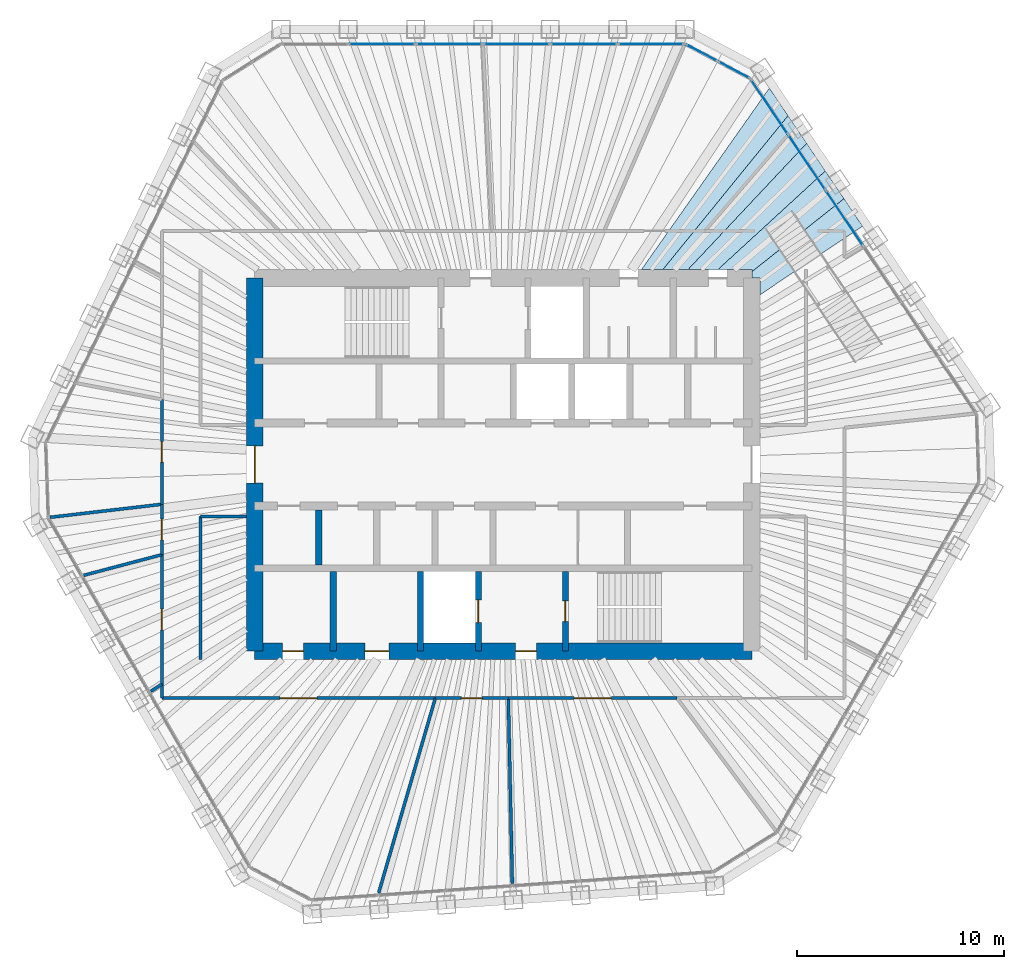
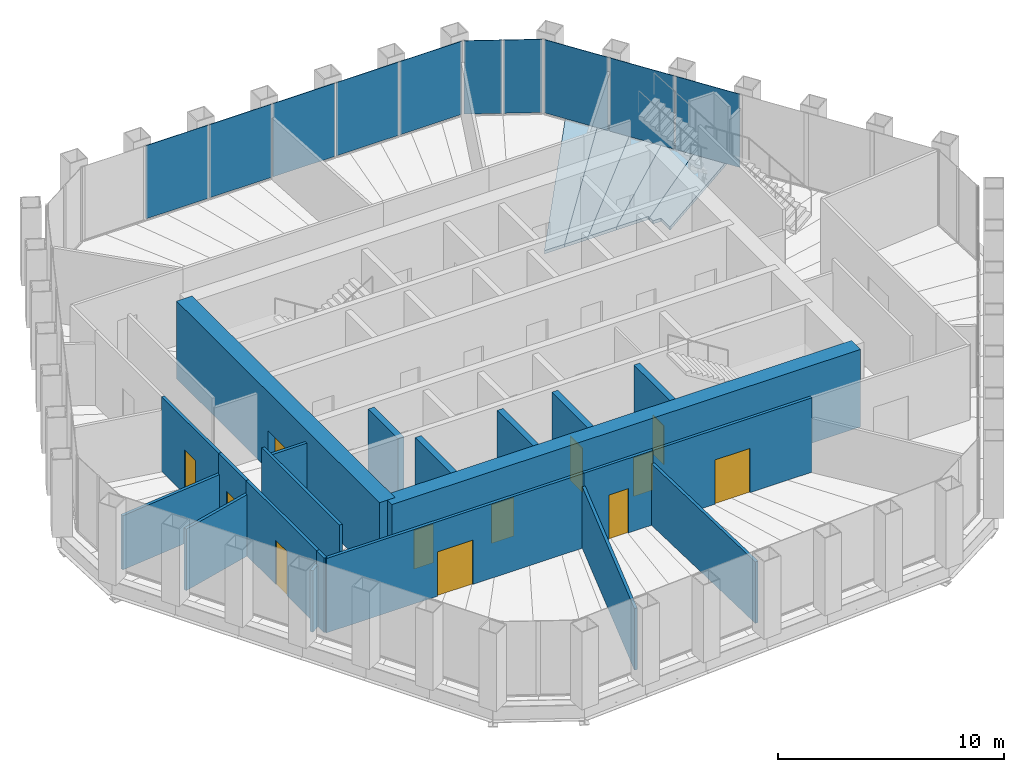
# One storey, part 11 of 14: 21 walls, 12 doors, 10 plates, 5 slabs, 12 openings, 3 elements without a shape of their own.
"""IFC4 building model written with IfcOpenShell, lengths in metres."""

from ifc_helpers import new_model, si_unit, direction, frame, frame_2d, origin, origin_2d, place, context, subcontext, project, spatial, polyline, rectangle, outline, extrude, material, layer, layer_set, type_object, element, fill, aggregate, save


model = new_model("IFC4")

# Units and contexts
model_context = context("Model", 3, precision=1e-05, world=origin(), true_north=direction((0.0, 1.0)))
body_context = subcontext(model_context, "Body", "Model", "MODEL_VIEW")
ifc_project = project(units=[si_unit("LENGTHUNIT", "METRE"), si_unit("AREAUNIT", "SQUARE_METRE"), si_unit("VOLUMEUNIT", "CUBIC_METRE"), si_unit("PLANEANGLEUNIT", "RADIAN"), si_unit("MASSUNIT", "GRAM", prefix="KILO")], contexts=[model_context])

# Site, building, storey
site_placement = place(None, origin())
site = spatial("IfcSite", under=ifc_project, at=site_placement, CompositionType="ELEMENT")
building_placement = place(site_placement, origin())
building = spatial("IfcBuilding", under=site, at=building_placement, Name="Qingtian Harvest Tower", CompositionType="ELEMENT")
storey_placement = place(building_placement, frame((0.0, 0.0, 325.0)))
storey = spatial("IfcBuildingStorey", under=building, at=storey_placement, Name="L72", CompositionType="ELEMENT", Elevation=325.0)

# Slabs
ifc_material_1 = material(Name="Concrete fc' 35 MPa", Category="concrete")
ifc_layer_1 = layer(ifc_material_1, 0.169921875)
ifc_layer_set_1 = layer_set([ifc_layer_1], Name="Composite floor slab FS17 170")
slab_type = type_object("IfcSlabType", Name="Composite floor slab FS17 170", PredefinedType="FLOOR", material=ifc_layer_set_1)
slab_1_placement = place(storey_placement, frame((0.0, 0.0, -0.169921875)))
element("IfcSlab", 1, at=slab_1_placement, inside=storey, type_object=slab_type, Name="Floor slab L72 panel D47", PredefinedType="FLOOR", context=body_context, shape_type="SweptSolid", body=[
    extrude(outline(polyline([(12.39990234375, 9.0), (12.0, 9.0), (12.0, 9.30908203125), (16.44140625, 12.830078125), (17.340576171875, 11.4970703125), (12.39990234375, 8.199462890625), (12.39990234375, 9.0)])), origin(), (0.0, 0.0, 1.0), 0.169921875),
])
slab_2_placement = place(storey_placement, frame((0.0, 0.0, -0.169921875)))
element("IfcSlab", 2, at=slab_2_placement, inside=storey, type_object=slab_type, Name="Floor slab L72 panel D48", PredefinedType="FLOOR", context=body_context, shape_type="SweptSolid", body=[
    extrude(outline(polyline([(12.0, 9.39990234375), (10.349853515625, 9.39990234375), (15.541259765625, 14.164794921875), (16.44140625, 12.830078125), (12.0, 9.30908203125), (12.0, 9.39990234375)])), origin(), (0.0, 0.0, 1.0), 0.169921875),
])
slab_3_placement = place(storey_placement, frame((0.0, 0.0, -0.169921875)))
element("IfcSlab", 3, at=slab_3_placement, inside=storey, type_object=slab_type, Name="Floor slab L72 panel D49", PredefinedType="FLOOR", context=body_context, shape_type="SweptSolid", body=[
    extrude(outline(polyline([(8.907958984375, 9.39990234375), (14.641357421875, 15.498779296875), (15.541259765625, 14.164794921875), (10.349853515625, 9.39990234375), (8.907958984375, 9.39990234375)])), origin(), (0.0, 0.0, 1.0), 0.169921875),
])
slab_4_placement = place(storey_placement, frame((0.0, 0.0, -0.169921875)))
element("IfcSlab", 4, at=slab_4_placement, inside=storey, type_object=slab_type, Name="Floor slab L72 panel D50", PredefinedType="FLOOR", context=body_context, shape_type="SweptSolid", body=[
    extrude(outline(polyline([(7.695556640625, 9.39990234375), (13.74169921875, 16.832763671875), (14.641357421875, 15.498779296875), (8.907958984375, 9.39990234375), (7.695556640625, 9.39990234375)])), origin(), (0.0, 0.0, 1.0), 0.169921875),
])
slab_5_placement = place(storey_placement, frame((0.0, 0.0, -0.169921875)))
element("IfcSlab", 5, at=slab_5_placement, inside=storey, type_object=slab_type, Name="Floor slab L72 panel D51", PredefinedType="FLOOR", context=body_context, shape_type="SweptSolid", body=[
    extrude(outline(polyline([(6.662109375, 9.39990234375), (12.841796875, 18.16650390625), (13.74169921875, 16.832763671875), (7.695556640625, 9.39990234375), (6.662109375, 9.39990234375)])), origin(), (0.0, 0.0, 1.0), 0.169921875),
])

# Curtain wall, plates
ifc_material_2 = material(Name="Bronze-anodised aluminium curtain wall", Category="aluminium")
curtain_wall_type = type_object("IfcCurtainWallType", Name="Curtain wall CW6 executive floors", PredefinedType="USERDEFINED", material=ifc_material_2)
curtain_wall_1_placement = place(storey_placement, origin())
curtain_wall_1 = element("IfcCurtainWall", 6, at=curtain_wall_1_placement, inside=storey, type_object=curtain_wall_type, Name="Curtain wall CW6 L72 N0-5", ObjectType="RECESSED CURTAIN WALL", PredefinedType="USERDEFINED")
ifc_material_3 = material(Name="Bronze-tinted laminated insulating glass", Category="glass")
ifc_layer_2 = layer(ifc_material_3, 0.030029296875)
ifc_layer_set_2 = layer_set([ifc_layer_2], Name="Glazed panel CWP tinted IGU")
plate_type = type_object("IfcPlateType", Name="Glazed panel CWP tinted IGU", PredefinedType="CURTAIN_PANEL", material=ifc_layer_set_2)
plate_1_placement = place(storey_placement, frame((-5.85009765625, 20.300048828125, 0.06494140625), z_axis=(0.0, 0.0, 1.0), x_axis=(1.0, 0.0, 0.0)))
plate_1 = element("IfcPlate", 7, at=plate_1_placement, type_object=plate_type, Name="CW6 panel 2.1", PredefinedType="CURTAIN_PANEL", context=body_context, shape_type="SweptSolid", body=[
    extrude(rectangle(XDim=3.18310546875, YDim=0.030029296875, at=origin_2d()), origin(), (0.0, 0.0, 1.0), 3.965087890625),
])
plate_2_placement = place(storey_placement, frame((-2.602294921875, 20.300048828125, 0.06494140625), z_axis=(0.0, 0.0, 1.0), x_axis=(1.0, 0.0, 0.0)))
plate_2 = element("IfcPlate", 8, at=plate_2_placement, type_object=plate_type, Name="CW6 panel 3.1", PredefinedType="CURTAIN_PANEL", context=body_context, shape_type="SweptSolid", body=[
    extrude(rectangle(XDim=3.18310546875, YDim=0.030029296875, at=origin_2d()), origin(), (0.0, 0.0, 1.0), 3.965087890625),
])
plate_3_placement = place(storey_placement, frame((0.645751953125, 20.300048828125, 0.06494140625), z_axis=(0.0, 0.0, 1.0), x_axis=(1.0, 0.0, 0.0)))
plate_3 = element("IfcPlate", 9, at=plate_3_placement, type_object=plate_type, Name="CW6 panel 4.1", PredefinedType="CURTAIN_PANEL", context=body_context, shape_type="SweptSolid", body=[
    extrude(rectangle(XDim=3.18310546875, YDim=0.030029296875, at=origin_2d()), origin(), (0.0, 0.0, 1.0), 3.965087890625),
])
plate_4_placement = place(storey_placement, frame((3.893798828125, 20.300048828125, 0.06494140625), z_axis=(0.0, 0.0, 1.0), x_axis=(1.0, 0.0, 0.0)))
plate_4 = element("IfcPlate", 10, at=plate_4_placement, type_object=plate_type, Name="CW6 panel 5.1", PredefinedType="CURTAIN_PANEL", context=body_context, shape_type="SweptSolid", body=[
    extrude(rectangle(XDim=3.18310546875, YDim=0.030029296875, at=origin_2d()), origin(), (0.0, 0.0, 1.0), 3.965087890625),
])
plate_5_placement = place(storey_placement, frame((7.125732421875, 20.300048828125, 0.06494140625), z_axis=(0.0, 0.0, 1.0), x_axis=(1.0, 0.0, 0.0)))
plate_5 = element("IfcPlate", 11, at=plate_5_placement, type_object=plate_type, Name="CW6 panel 6.1", PredefinedType="CURTAIN_PANEL", context=body_context, shape_type="SweptSolid", body=[
    extrude(rectangle(XDim=3.150634765625, YDim=0.030029296875, at=origin_2d()), origin(), (0.0, 0.0, 1.0), 3.965087890625),
])
aggregate(curtain_wall_1, [plate_1, plate_2, plate_3, plate_4, plate_5])

curtain_wall_2_placement = place(storey_placement, origin())
curtain_wall_2 = element("IfcCurtainWall", 12, at=curtain_wall_2_placement, inside=storey, type_object=curtain_wall_type, Name="Curtain wall CW6 L72 NC", ObjectType="RECESSED CURTAIN WALL", PredefinedType="USERDEFINED")
plate_6_placement = place(storey_placement, frame((9.57080078125, 19.8720703125, 0.06494140625), z_axis=(0.0, 0.0, 1.0), x_axis=(0.882947592859, -0.469471562786, 0.0)))
plate_6 = element("IfcPlate", 13, at=plate_6_placement, type_object=plate_type, Name="CW6 panel 1.1", PredefinedType="CURTAIN_PANEL", context=body_context, shape_type="SweptSolid", body=[
    extrude(rectangle(XDim=1.69287109375, YDim=0.030029296875, at=origin_2d()), origin(), (0.0, 0.0, 1.0), 3.965087890625),
])
plate_7_placement = place(storey_placement, frame((11.122802734375, 19.046875, 0.06494140625), z_axis=(0.0, 0.0, 1.0), x_axis=(0.882947592859, -0.469471562786, 0.0)))
plate_7 = element("IfcPlate", 14, at=plate_7_placement, type_object=plate_type, Name="CW6 panel 2.1", PredefinedType="CURTAIN_PANEL", context=body_context, shape_type="SweptSolid", body=[
    extrude(rectangle(XDim=1.69287109375, YDim=0.030029296875, at=origin_2d()), origin(), (0.0, 0.0, 1.0), 3.965087890625),
])
aggregate(curtain_wall_2, [plate_6, plate_7])

curtain_wall_3_placement = place(storey_placement, origin())
curtain_wall_3 = element("IfcCurtainWall", 15, at=curtain_wall_3_placement, inside=storey, type_object=curtain_wall_type, Name="Curtain wall CW6 L72 NE0-5", ObjectType="RECESSED CURTAIN WALL", PredefinedType="USERDEFINED")
plate_8_placement = place(storey_placement, frame((12.844970703125, 17.259033203125, 0.06494140625), z_axis=(0.0, 0.0, 1.0), x_axis=(0.559192903471, -0.829037572555, 0.0)))
plate_8 = element("IfcPlate", 16, at=plate_8_placement, type_object=plate_type, Name="CW6 panel 1.1", PredefinedType="CURTAIN_PANEL", context=body_context, shape_type="SweptSolid", body=[
    extrude(rectangle(XDim=3.150634765625, YDim=0.030029296875, at=origin_2d()), origin(), (0.0, 0.0, 1.0), 3.965087890625),
])
plate_9_placement = place(storey_placement, frame((14.652099609375, 14.579833984375, 0.06494140625), z_axis=(0.0, 0.0, 1.0), x_axis=(0.559192903471, -0.829037572555, 0.0)))
plate_9 = element("IfcPlate", 17, at=plate_9_placement, type_object=plate_type, Name="CW6 panel 2.1", PredefinedType="CURTAIN_PANEL", context=body_context, shape_type="SweptSolid", body=[
    extrude(rectangle(XDim=3.18310546875, YDim=0.030029296875, at=origin_2d()), origin(), (0.0, 0.0, 1.0), 3.965087890625),
])
plate_10_placement = place(storey_placement, frame((16.46826171875, 11.886962890625, 0.06494140625), z_axis=(0.0, 0.0, 1.0), x_axis=(0.559192903471, -0.829037572555, 0.0)))
plate_10 = element("IfcPlate", 18, at=plate_10_placement, type_object=plate_type, Name="CW6 panel 3.1", PredefinedType="CURTAIN_PANEL", context=body_context, shape_type="SweptSolid", body=[
    extrude(rectangle(XDim=3.18310546875, YDim=0.030029296875, at=origin_2d()), origin(), (0.0, 0.0, 1.0), 3.965087890625),
])
aggregate(curtain_wall_3, [plate_8, plate_9, plate_10])

# Walls
ifc_material_4 = material(Name="Precast concrete shaft panel", Category="concrete")
ifc_layer_3 = layer(ifc_material_4, 0.300048828125)
ifc_layer_set_3 = layer_set([ifc_layer_3], Name="Core shaft partition SW1 300")
wall_type_1 = type_object("IfcWallType", Name="Core shaft partition SW1 300", PredefinedType="PARTITIONING", material=ifc_layer_set_3)
wall_1_placement = place(storey_placement, frame((-8.89990234375, -4.85009765625, 0.0), z_axis=(0.0, 0.0, 1.0), x_axis=(0.0, 1.0, 0.0)))
element("IfcWall", 19, at=wall_1_placement, inside=storey, type_object=wall_type_1, Name="Core shaft partition XB1 L72", PredefinedType="PARTITIONING", context=body_context, shape_type="SweptSolid", body=[
    extrude(rectangle(XDim=2.650146484375, YDim=0.300048828125, at=frame_2d((1.3251953125, 0.0))), origin(), (0.0, 0.0, 1.0), 3.97998046875),
])
for number, where, z_axis, x_axis, name in (
    (20, (-8.199951171875, -9.0, 0.0), (0.0, 0.0, 1.0), (0.0, 1.0, 0.0), "Core shaft partition XS1 L72"),
    (21, (-4.0, -9.0, 0.0), (0.0, 0.0, 1.0), (0.0, 1.0, 0.0), "Core shaft partition XS2 L72"),
):
    element("IfcWall", number, at=place(storey_placement, frame(where, z_axis=z_axis, x_axis=x_axis)), inside=storey, type_object=wall_type_1, Name=name, PredefinedType="PARTITIONING", context=body_context, shape_type="SweptSolid", body=[
        extrude(rectangle(XDim=3.85009765625, YDim=0.300048828125, at=frame_2d((1.925048828125, 0.0))), origin(), (0.0, 0.0, 1.0), 3.97998046875),
    ])

# Wall, opening, door
wall_2_placement = place(storey_placement, frame((-1.199951171875, -9.0, 0.0), z_axis=(0.0, 0.0, 1.0), x_axis=(0.0, 1.0, 0.0)))
wall_2 = element("IfcWall", 22, at=wall_2_placement, inside=storey, type_object=wall_type_1, Name="Core shaft partition XS3 L72", PredefinedType="PARTITIONING", context=body_context, shape_type="SweptSolid", body=[
    extrude(rectangle(XDim=3.85009765625, YDim=0.300048828125, at=frame_2d((1.925048828125, 0.0))), origin(), (0.0, 0.0, 1.0), 3.97998046875),
])
opening_1_placement = place(wall_2_placement, frame((1.375, 0.0, 0.0)))
opening_1 = element("IfcOpeningElement", 23, at=opening_1_placement, cuts=wall_2, Name="Opening LD1", PredefinedType="OPENING", context=body_context, shape_type="SweptSolid", body=[
    extrude(rectangle(XDim=1.10009765625, YDim=2.39990234375, at=frame_2d((0.550048828125, 1.199951171875))), frame((0.0, 0.159912109375, 0.0), z_axis=(0.0, -1.0, 0.0), x_axis=(1.0, 0.0, 0.0)), (0.0, 0.0, 1.0), 0.320068359375),
])
ifc_material_5 = material(Name="Stainless steel lift landing door", Category="steel")
door_type_1 = type_object("IfcDoorType", Name="Lift landing door LD1 1 HR", OperationType="DOUBLE_DOOR_SLIDING", PredefinedType="DOOR", material=ifc_material_5)
door_1_placement = place(opening_1_placement, origin())
door_1 = element("IfcDoor", 24, at=door_1_placement, inside=storey, type_object=door_type_1, Name="FL2 landing door L72", OperationType="DOUBLE_DOOR_SLIDING", OverallHeight=2.39990234375, OverallWidth=1.10009765625, PredefinedType="DOOR", context=body_context, shape_type="SweptSolid", body=[
    extrude(rectangle(XDim=1.10009765625, YDim=2.39990234375, at=frame_2d((0.550048828125, 1.199951171875))), frame((0.0, 0.02490234375, 0.0), z_axis=(0.0, -1.0, 0.0), x_axis=(1.0, 0.0, 0.0)), (0.0, 0.0, 1.0), 0.050048828125),
])
fill(opening_1, door_1)

wall_3_placement = place(storey_placement, frame((3.0, -9.0, 0.0), z_axis=(0.0, 0.0, 1.0), x_axis=(0.0, 1.0, 0.0)))
wall_3 = element("IfcWall", 25, at=wall_3_placement, inside=storey, type_object=wall_type_1, Name="Core shaft partition XS4 L72", PredefinedType="PARTITIONING", context=body_context, shape_type="SweptSolid", body=[
    extrude(rectangle(XDim=3.85009765625, YDim=0.300048828125, at=frame_2d((1.925048828125, 0.0))), origin(), (0.0, 0.0, 1.0), 3.97998046875),
])
opening_2_placement = place(wall_3_placement, frame((1.425048828125, 0.0, 0.0)))
opening_2 = element("IfcOpeningElement", 26, at=opening_2_placement, cuts=wall_3, Name="Opening FD1", PredefinedType="OPENING", context=body_context, shape_type="SweptSolid", body=[
    extrude(rectangle(XDim=1.0, YDim=2.10009765625, at=frame_2d((0.5, 1.050048828125))), frame((0.0, 0.159912109375, 0.0), z_axis=(0.0, -1.0, 0.0), x_axis=(1.0, 0.0, 0.0)), (0.0, 0.0, 1.0), 0.320068359375),
])
ifc_material_6 = material(Name="Steel-faced door leaf", Category="steel")
door_type_2 = type_object("IfcDoorType", Name="Fire door FD1 single 1 HR", OperationType="SINGLE_SWING_LEFT", PredefinedType="DOOR", material=ifc_material_6)
door_2_placement = place(opening_2_placement, origin())
door_2 = element("IfcDoor", 27, at=door_2_placement, inside=storey, type_object=door_type_2, Name="S2 door L72", OperationType="SINGLE_SWING_RIGHT", OverallHeight=2.10009765625, OverallWidth=1.0, PredefinedType="DOOR", context=body_context, shape_type="SweptSolid", body=[
    extrude(rectangle(XDim=1.0, YDim=2.10009765625, at=frame_2d((0.5, 1.050048828125))), frame((0.0, 0.02490234375, 0.0), z_axis=(0.0, -1.0, 0.0), x_axis=(1.0, 0.0, 0.0)), (0.0, 0.0, 1.0), 0.050048828125),
])
fill(opening_2, door_2)

# Wall, openings, doors
ifc_material_7 = material(Name="Concrete fc' 70 MPa", Category="concrete")
ifc_layer_4 = layer(ifc_material_7, 0.800048828125)
ifc_layer_set_4 = layer_set([ifc_layer_4], Name="Core wall RC4 800")
wall_type_2 = type_object("IfcWallType", Name="Core wall RC4 800", PredefinedType="SHEAR", material=ifc_layer_set_4)
wall_4_placement = place(storey_placement, frame((-12.0, -9.0, 0.0), z_axis=(0.0, 0.0, 1.0), x_axis=(1.0, 0.0, 0.0)))
wall_4 = element("IfcWall", 28, at=wall_4_placement, inside=storey, type_object=wall_type_2, Name="Core wall CS L72", PredefinedType="SHEAR", context=body_context, shape_type="SweptSolid", body=[
    extrude(rectangle(XDim=24.0, YDim=0.800048828125, at=frame_2d((12.0, 0.0))), origin(), (0.0, 0.0, 1.0), 4.199951171875),
])
opening_3_placement = place(wall_4_placement, frame((1.35009765625, 0.0, 0.0)))
opening_3 = element("IfcOpeningElement", 29, at=opening_3_placement, cuts=wall_4, Name="Opening FD1", PredefinedType="OPENING", context=body_context, shape_type="SweptSolid", body=[
    extrude(rectangle(XDim=1.0, YDim=2.10009765625, at=frame_2d((0.5, 1.050048828125))), frame((0.0, 0.409912109375, 0.0), z_axis=(0.0, -1.0, 0.0), x_axis=(1.0, 0.0, 0.0)), (0.0, 0.0, 1.0), 0.820068359375),
])
opening_4_placement = place(wall_4_placement, frame((5.324951171875, 0.0, 0.0)))
opening_4 = element("IfcOpeningElement", 30, at=opening_4_placement, cuts=wall_4, Name="Opening AD1", PredefinedType="OPENING", context=body_context, shape_type="SweptSolid", body=[
    extrude(rectangle(XDim=1.14990234375, YDim=2.10009765625, at=frame_2d((0.574951171875, 1.050048828125))), frame((0.0, 0.409912109375, 0.0), z_axis=(0.0, -1.0, 0.0), x_axis=(1.0, 0.0, 0.0)), (0.0, 0.0, 1.0), 0.820068359375),
])
opening_5_placement = place(wall_4_placement, frame((12.60009765625, 0.0, 0.0)))
opening_5 = element("IfcOpeningElement", 31, at=opening_5_placement, cuts=wall_4, Name="Opening FD1", PredefinedType="OPENING", context=body_context, shape_type="SweptSolid", body=[
    extrude(rectangle(XDim=1.0, YDim=2.10009765625, at=frame_2d((0.5, 1.050048828125))), frame((0.0, 0.409912109375, 0.0), z_axis=(0.0, -1.0, 0.0), x_axis=(1.0, 0.0, 0.0)), (0.0, 0.0, 1.0), 0.820068359375),
])
ifc_material_8 = material(Name="Laminated timber door leaf", Category="wood")
door_type_3 = type_object("IfcDoorType", Name="Accessible WC door AD1 single", OperationType="SINGLE_SWING_LEFT", PredefinedType="DOOR", material=ifc_material_8)
door_3_placement = place(opening_4_placement, origin())
door_3 = element("IfcDoor", 32, at=door_3_placement, inside=storey, type_object=door_type_3, Name="AWC door L72", OperationType="SINGLE_SWING_LEFT", OverallHeight=2.10009765625, OverallWidth=1.14990234375, PredefinedType="DOOR", context=body_context, shape_type="SweptSolid", body=[
    extrude(rectangle(XDim=1.14990234375, YDim=2.10009765625, at=frame_2d((0.574951171875, 1.050048828125))), frame((0.0, 0.02490234375, 0.0), z_axis=(0.0, -1.0, 0.0), x_axis=(1.0, 0.0, 0.0)), (0.0, 0.0, 1.0), 0.050048828125),
])
fill(opening_4, door_3)
door_4_placement = place(opening_3_placement, origin())
door_4 = element("IfcDoor", 33, at=door_4_placement, inside=storey, type_object=door_type_2, Name="CLN door L72", OperationType="SINGLE_SWING_RIGHT", OverallHeight=2.10009765625, OverallWidth=1.0, PredefinedType="DOOR", context=body_context, shape_type="SweptSolid", body=[
    extrude(rectangle(XDim=1.0, YDim=2.10009765625, at=frame_2d((0.5, 1.050048828125))), frame((0.0, 0.02490234375, 0.0), z_axis=(0.0, -1.0, 0.0), x_axis=(1.0, 0.0, 0.0)), (0.0, 0.0, 1.0), 0.050048828125),
])
fill(opening_3, door_4)
door_5_placement = place(opening_5_placement, origin())
door_5 = element("IfcDoor", 34, at=door_5_placement, inside=storey, type_object=door_type_2, Name="V2 door L72", OperationType="SINGLE_SWING_LEFT", OverallHeight=2.10009765625, OverallWidth=1.0, PredefinedType="DOOR", context=body_context, shape_type="SweptSolid", body=[
    extrude(rectangle(XDim=1.0, YDim=2.10009765625, at=frame_2d((0.5, 1.050048828125))), frame((0.0, 0.02490234375, 0.0), z_axis=(0.0, -1.0, 0.0), x_axis=(1.0, 0.0, 0.0)), (0.0, 0.0, 1.0), 0.050048828125),
])
fill(opening_5, door_5)

# Wall, opening, door
wall_5_placement = place(storey_placement, frame((-12.0, -9.0, 0.0), z_axis=(0.0, 0.0, 1.0), x_axis=(0.0, 1.0, 0.0)))
wall_5 = element("IfcWall", 35, at=wall_5_placement, inside=storey, type_object=wall_type_2, Name="Core wall CW L72", PredefinedType="SHEAR", context=body_context, shape_type="SweptSolid", body=[
    extrude(rectangle(XDim=18.0, YDim=0.800048828125, at=frame_2d((9.0, 0.0))), origin(), (0.0, 0.0, 1.0), 4.199951171875),
])
opening_6_placement = place(wall_5_placement, frame((8.10009765625, 0.0, 0.0)))
opening_6 = element("IfcOpeningElement", 36, at=opening_6_placement, cuts=wall_5, Name="Opening FD2", PredefinedType="OPENING", context=body_context, shape_type="SweptSolid", body=[
    extrude(rectangle(XDim=1.800048828125, YDim=2.10009765625, at=frame_2d((0.89990234375, 1.050048828125))), frame((0.0, 0.409912109375, 0.0), z_axis=(0.0, -1.0, 0.0), x_axis=(1.0, 0.0, 0.0)), (0.0, 0.0, 1.0), 0.820068359375),
])
ifc_material_9 = material(Name="Steel-faced door leaf", Category="steel")
door_type_4 = type_object("IfcDoorType", Name="Fire door FD2 double 1 HR", OperationType="DOUBLE_DOOR_DOUBLE_SWING", PredefinedType="DOOR", material=ifc_material_9)
door_6_placement = place(opening_6_placement, origin())
door_6 = element("IfcDoor", 37, at=door_6_placement, inside=storey, type_object=door_type_4, Name="LOBBY-W door L72", OperationType="DOUBLE_DOOR_DOUBLE_SWING", OverallHeight=2.10009765625, OverallWidth=1.800048828125, PredefinedType="DOOR", context=body_context, shape_type="SweptSolid", body=[
    extrude(rectangle(XDim=1.800048828125, YDim=2.10009765625, at=frame_2d((0.89990234375, 1.050048828125))), frame((0.0, 0.02490234375, 0.0), z_axis=(0.0, -1.0, 0.0), x_axis=(1.0, 0.0, 0.0)), (0.0, 0.0, 1.0), 0.050048828125),
])
fill(opening_6, door_6)

ifc_material_10 = material(Name="Gypsum board on steel studs", Category="steel")
ifc_layer_5 = layer(ifc_material_10, 0.14990234375)
ifc_layer_set_5 = layer_set([ifc_layer_5], Name="Partition PT1 150")
wall_type_3 = type_object("IfcWallType", Name="Partition PT1 150", PredefinedType="PARTITIONING", material=ifc_layer_set_5)
wall_6_placement = place(storey_placement, frame((8.38720703125, -11.27490234375, 0.0), z_axis=(0.0, 0.0, 1.0), x_axis=(-1.0, 0.0, 0.0)))
wall_6 = element("IfcWall", 38, at=wall_6_placement, inside=storey, type_object=wall_type_3, Name="Conference room wall L72", PredefinedType="PARTITIONING", context=body_context, shape_type="SweptSolid", body=[
    extrude(rectangle(XDim=8.142822265625, YDim=0.14990234375, at=frame_2d((4.0712890625, 0.0))), origin(), (0.0, 0.0, 1.0), 4.030029296875),
])
opening_7_placement = place(wall_6_placement, frame((3.17138671875, 0.0, 0.0)))
opening_7 = element("IfcOpeningElement", 39, at=opening_7_placement, cuts=wall_6, Name="Opening D3", PredefinedType="OPENING", context=body_context, shape_type="SweptSolid", body=[
    extrude(rectangle(XDim=1.800048828125, YDim=2.39990234375, at=frame_2d((0.89990234375, 1.199951171875))), frame((0.0, 0.0849609375, 0.0), z_axis=(0.0, -1.0, 0.0), x_axis=(1.0, 0.0, 0.0)), (0.0, 0.0, 1.0), 0.169921875),
])
ifc_material_11 = material(Name="Laminated timber door leaf", Category="wood")
door_type_5 = type_object("IfcDoorType", Name="Room door D3 double", OperationType="DOUBLE_DOOR_DOUBLE_SWING", PredefinedType="DOOR", material=ifc_material_11)
door_7_placement = place(opening_7_placement, origin())
door_7 = element("IfcDoor", 40, at=door_7_placement, inside=storey, type_object=door_type_5, Name="Conference room door L72", OperationType="DOUBLE_DOOR_DOUBLE_SWING", OverallHeight=2.39990234375, OverallWidth=1.800048828125, PredefinedType="DOOR", context=body_context, shape_type="SweptSolid", body=[
    extrude(rectangle(XDim=1.800048828125, YDim=2.39990234375, at=frame_2d((0.89990234375, 1.199951171875))), frame((0.0, 0.02490234375, 0.0), z_axis=(0.0, -1.0, 0.0), x_axis=(1.0, 0.0, 0.0)), (0.0, 0.0, 1.0), 0.050048828125),
])
fill(opening_7, door_7)

# Wall
wall_7_placement = place(storey_placement, frame((0.43798828125, -20.21875, 0.0), z_axis=(0.0, 0.0, 1.0), x_axis=(-0.021641488123, 0.99976579557, 0.0)))
element("IfcWall", 41, at=wall_7_placement, inside=storey, type_object=wall_type_3, Name="Executive office wall L72", PredefinedType="PARTITIONING", context=body_context, shape_type="SweptSolid", body=[
    extrude(rectangle(XDim=8.946044921875, YDim=0.14990234375, at=frame_2d((4.47314453125, 0.0))), origin(), (0.0, 0.0, 1.0), 3.330078125),
])

# Wall, opening, door
wall_8_placement = place(storey_placement, frame((0.244384765625, -11.27490234375, 0.0), z_axis=(0.0, 0.0, 1.0), x_axis=(-1.0, 0.0, 0.0)))
wall_8 = element("IfcWall", 42, at=wall_8_placement, inside=storey, type_object=wall_type_3, Name="Executive office wall L72", PredefinedType="PARTITIONING", context=body_context, shape_type="SweptSolid", body=[
    extrude(rectangle(XDim=3.52294921875, YDim=0.14990234375, at=frame_2d((1.761474609375, 0.0))), origin(), (0.0, 0.0, 1.0), 4.030029296875),
])
opening_8_placement = place(wall_8_placement, frame((1.261474609375, 0.0, 0.0)))
opening_8 = element("IfcOpeningElement", 43, at=opening_8_placement, cuts=wall_8, Name="Opening D2", PredefinedType="OPENING", context=body_context, shape_type="SweptSolid", body=[
    extrude(rectangle(XDim=1.0, YDim=2.39990234375, at=frame_2d((0.5, 1.199951171875))), frame((0.0, 0.0849609375, 0.0), z_axis=(0.0, -1.0, 0.0), x_axis=(1.0, 0.0, 0.0)), (0.0, 0.0, 1.0), 0.169921875),
])
ifc_material_12 = material(Name="Laminated timber door leaf", Category="wood")
door_type_6 = type_object("IfcDoorType", Name="Room door D2 single", OperationType="SINGLE_SWING_LEFT", PredefinedType="DOOR", material=ifc_material_12)
door_8_placement = place(opening_8_placement, origin())
door_8 = element("IfcDoor", 44, at=door_8_placement, inside=storey, type_object=door_type_6, Name="Executive office door L72", OperationType="SINGLE_SWING_LEFT", OverallHeight=2.39990234375, OverallWidth=1.0, PredefinedType="DOOR", context=body_context, shape_type="SweptSolid", body=[
    extrude(rectangle(XDim=1.0, YDim=2.39990234375, at=frame_2d((0.5, 1.199951171875))), frame((0.0, 0.02490234375, 0.0), z_axis=(0.0, -1.0, 0.0), x_axis=(1.0, 0.0, 0.0)), (0.0, 0.0, 1.0), 0.050048828125),
])
fill(opening_8, door_8)

# Wall
wall_9_placement = place(storey_placement, frame((-6.011962890625, -20.67578125, 0.0), z_axis=(0.0, 0.0, 1.0), x_axis=(0.279197441451, 0.960233715658, 0.0)))
element("IfcWall", 45, at=wall_9_placement, inside=storey, type_object=wall_type_3, Name="Workplace zone wall L72", PredefinedType="PARTITIONING", context=body_context, shape_type="SweptSolid", body=[
    extrude(rectangle(XDim=9.790283203125, YDim=0.14990234375, at=frame_2d((4.89501953125, 0.0))), origin(), (0.0, 0.0, 1.0), 3.330078125),
])

# Wall, opening, door
wall_10_placement = place(storey_placement, frame((-3.278564453125, -11.27490234375, 0.0), z_axis=(0.0, 0.0, 1.0), x_axis=(-1.0, 0.0, 0.0)))
wall_10 = element("IfcWall", 46, at=wall_10_placement, inside=storey, type_object=wall_type_3, Name="Workplace zone wall L72", PredefinedType="PARTITIONING", context=body_context, shape_type="SweptSolid", body=[
    extrude(rectangle(XDim=13.196533203125, YDim=0.14990234375, at=frame_2d((6.59814453125, 0.0))), origin(), (0.0, 0.0, 1.0), 4.030029296875),
])
opening_9_placement = place(wall_10_placement, frame((5.6982421875, 0.0, 0.0)))
opening_9 = element("IfcOpeningElement", 47, at=opening_9_placement, cuts=wall_10, Name="Opening D3", PredefinedType="OPENING", context=body_context, shape_type="SweptSolid", body=[
    extrude(rectangle(XDim=1.800048828125, YDim=2.39990234375, at=frame_2d((0.89990234375, 1.199951171875))), frame((0.0, 0.0849609375, 0.0), z_axis=(0.0, -1.0, 0.0), x_axis=(1.0, 0.0, 0.0)), (0.0, 0.0, 1.0), 0.169921875),
])
door_9_placement = place(opening_9_placement, origin())
door_9 = element("IfcDoor", 48, at=door_9_placement, inside=storey, type_object=door_type_5, Name="Workplace zone door L72", OperationType="DOUBLE_DOOR_DOUBLE_SWING", OverallHeight=2.39990234375, OverallWidth=1.800048828125, PredefinedType="DOOR", context=body_context, shape_type="SweptSolid", body=[
    extrude(rectangle(XDim=1.800048828125, YDim=2.39990234375, at=frame_2d((0.89990234375, 1.199951171875))), frame((0.0, 0.02490234375, 0.0), z_axis=(0.0, -1.0, 0.0), x_axis=(1.0, 0.0, 0.0)), (0.0, 0.0, 1.0), 0.050048828125),
])
fill(opening_9, door_9)

# Walls
wall_11_placement = place(storey_placement, frame((-16.47509765625, -11.27490234375, 0.0), z_axis=(0.0, 0.0, 1.0), x_axis=(0.0, 1.0, 0.0)))
element("IfcWall", 49, at=wall_11_placement, inside=storey, type_object=wall_type_3, Name="Workplace zone wall L72", PredefinedType="PARTITIONING", context=body_context, shape_type="SweptSolid", body=[
    extrude(rectangle(XDim=0.67431640625, YDim=0.14990234375, at=frame_2d((0.337158203125, 0.0))), origin(), (0.0, 0.0, 1.0), 4.030029296875),
])
wall_12_placement = place(storey_placement, frame((-17.007080078125, -10.943115234375, 0.0), z_axis=(0.0, 0.0, 1.0), x_axis=(0.840789611822, 0.541362012568, 0.0)))
element("IfcWall", 50, at=wall_12_placement, inside=storey, type_object=wall_type_3, Name="Executive office wall L72", PredefinedType="PARTITIONING", context=body_context, shape_type="SweptSolid", body=[
    extrude(rectangle(XDim=0.6328125, YDim=0.14990234375, at=frame_2d((0.31640625, 0.0))), origin(), (0.0, 0.0, 1.0), 3.330078125),
])

# Wall, opening, door
wall_13_placement = place(storey_placement, frame((-16.47509765625, -10.6005859375, 0.0), z_axis=(0.0, 0.0, 1.0), x_axis=(0.0, 1.0, 0.0)))
wall_13 = element("IfcWall", 51, at=wall_13_placement, inside=storey, type_object=wall_type_3, Name="Executive office wall L72", PredefinedType="PARTITIONING", context=body_context, shape_type="SweptSolid", body=[
    extrude(rectangle(XDim=6.249755859375, YDim=0.14990234375, at=frame_2d((3.125, 0.0))), origin(), (0.0, 0.0, 1.0), 4.030029296875),
])
opening_10_placement = place(wall_13_placement, frame((2.624755859375, 0.0, 0.0)))
opening_10 = element("IfcOpeningElement", 52, at=opening_10_placement, cuts=wall_13, Name="Opening D2", PredefinedType="OPENING", context=body_context, shape_type="SweptSolid", body=[
    extrude(rectangle(XDim=1.0, YDim=2.39990234375, at=frame_2d((0.5, 1.199951171875))), frame((0.0, 0.0849609375, 0.0), z_axis=(0.0, -1.0, 0.0), x_axis=(1.0, 0.0, 0.0)), (0.0, 0.0, 1.0), 0.169921875),
])
door_10_placement = place(opening_10_placement, origin())
door_10 = element("IfcDoor", 53, at=door_10_placement, inside=storey, type_object=door_type_6, Name="Executive office door L72", OperationType="SINGLE_SWING_LEFT", OverallHeight=2.39990234375, OverallWidth=1.0, PredefinedType="DOOR", context=body_context, shape_type="SweptSolid", body=[
    extrude(rectangle(XDim=1.0, YDim=2.39990234375, at=frame_2d((0.5, 1.199951171875))), frame((0.0, 0.02490234375, 0.0), z_axis=(0.0, -1.0, 0.0), x_axis=(1.0, 0.0, 0.0)), (0.0, 0.0, 1.0), 0.050048828125),
])
fill(opening_10, door_10)

# Wall
wall_14_placement = place(storey_placement, frame((-20.24267578125, -5.345947265625, 0.0), z_axis=(0.0, 0.0, 1.0), x_axis=(0.966843659694, 0.25536902261, 0.0)))
element("IfcWall", 54, at=wall_14_placement, inside=storey, type_object=wall_type_3, Name="Quiet room wall L72", PredefinedType="PARTITIONING", context=body_context, shape_type="SweptSolid", body=[
    extrude(rectangle(XDim=3.896728515625, YDim=0.14990234375, at=frame_2d((1.9482421875, 0.0))), origin(), (0.0, 0.0, 1.0), 3.330078125),
])

# Wall, opening, door
wall_15_placement = place(storey_placement, frame((-16.47509765625, -4.350830078125, 0.0), z_axis=(0.0, 0.0, 1.0), x_axis=(0.0, 1.0, 0.0)))
wall_15 = element("IfcWall", 55, at=wall_15_placement, inside=storey, type_object=wall_type_3, Name="Quiet room wall L72", PredefinedType="PARTITIONING", context=body_context, shape_type="SweptSolid", body=[
    extrude(rectangle(XDim=2.431640625, YDim=0.14990234375, at=frame_2d((1.2158203125, 0.0))), origin(), (0.0, 0.0, 1.0), 4.030029296875),
])
opening_11_placement = place(wall_15_placement, frame((0.7158203125, 0.0, 0.0)))
opening_11 = element("IfcOpeningElement", 56, at=opening_11_placement, cuts=wall_15, Name="Opening D2", PredefinedType="OPENING", context=body_context, shape_type="SweptSolid", body=[
    extrude(rectangle(XDim=1.0, YDim=2.39990234375, at=frame_2d((0.5, 1.199951171875))), frame((0.0, 0.0849609375, 0.0), z_axis=(0.0, -1.0, 0.0), x_axis=(1.0, 0.0, 0.0)), (0.0, 0.0, 1.0), 0.169921875),
])
door_11_placement = place(opening_11_placement, origin())
door_11 = element("IfcDoor", 57, at=door_11_placement, inside=storey, type_object=door_type_6, Name="Quiet room door L72", OperationType="SINGLE_SWING_RIGHT", OverallHeight=2.39990234375, OverallWidth=1.0, PredefinedType="DOOR", context=body_context, shape_type="SweptSolid", body=[
    extrude(rectangle(XDim=1.0, YDim=2.39990234375, at=frame_2d((0.5, 1.199951171875))), frame((0.0, 0.02490234375, 0.0), z_axis=(0.0, -1.0, 0.0), x_axis=(1.0, 0.0, 0.0)), (0.0, 0.0, 1.0), 0.050048828125),
])
fill(opening_11, door_11)

# Wall
wall_16_placement = place(storey_placement, frame((-21.864013671875, -2.546875, 0.0), z_axis=(0.0, 0.0, 1.0), x_axis=(0.993284789299, 0.115694975458, 0.0)))
element("IfcWall", 58, at=wall_16_placement, inside=storey, type_object=wall_type_3, Name="Store room wall L72", PredefinedType="PARTITIONING", context=body_context, shape_type="SweptSolid", body=[
    extrude(rectangle(XDim=5.42529296875, YDim=0.14990234375, at=frame_2d((2.712646484375, 0.0))), origin(), (0.0, 0.0, 1.0), 2.929931640625),
])

# Wall, opening, door
wall_17_placement = place(storey_placement, frame((-16.47509765625, -1.919189453125, 0.0), z_axis=(0.0, 0.0, 1.0), x_axis=(0.0, 1.0, 0.0)))
wall_17 = element("IfcWall", 59, at=wall_17_placement, inside=storey, type_object=wall_type_3, Name="Store room wall L72", PredefinedType="PARTITIONING", context=body_context, shape_type="SweptSolid", body=[
    extrude(rectangle(XDim=5.06005859375, YDim=0.14990234375, at=frame_2d((2.530029296875, 0.0))), origin(), (0.0, 0.0, 1.0), 4.030029296875),
])
opening_12_placement = place(wall_17_placement, frame((2.030029296875, 0.0, 0.0)))
opening_12 = element("IfcOpeningElement", 60, at=opening_12_placement, cuts=wall_17, Name="Opening D2", PredefinedType="OPENING", context=body_context, shape_type="SweptSolid", body=[
    extrude(rectangle(XDim=1.0, YDim=2.39990234375, at=frame_2d((0.5, 1.199951171875))), frame((0.0, 0.0849609375, 0.0), z_axis=(0.0, -1.0, 0.0), x_axis=(1.0, 0.0, 0.0)), (0.0, 0.0, 1.0), 0.169921875),
])
door_12_placement = place(opening_12_placement, origin())
door_12 = element("IfcDoor", 61, at=door_12_placement, inside=storey, type_object=door_type_6, Name="Store room door L72", OperationType="SINGLE_SWING_RIGHT", OverallHeight=2.39990234375, OverallWidth=1.0, PredefinedType="DOOR", context=body_context, shape_type="SweptSolid", body=[
    extrude(rectangle(XDim=1.0, YDim=2.39990234375, at=frame_2d((0.5, 1.199951171875))), frame((0.0, 0.02490234375, 0.0), z_axis=(0.0, -1.0, 0.0), x_axis=(1.0, 0.0, 0.0)), (0.0, 0.0, 1.0), 0.050048828125),
])
fill(opening_12, door_12)

# Walls
wall_18_placement = place(storey_placement, frame((-14.60009765625, -9.39990234375, 0.0), z_axis=(0.0, 0.0, 1.0), x_axis=(0.0, 1.0, 0.0)))
element("IfcWall", 62, at=wall_18_placement, inside=storey, type_object=wall_type_3, Name="Reading area wall L72", PredefinedType="PARTITIONING", context=body_context, shape_type="SweptSolid", body=[
    extrude(rectangle(XDim=6.89990234375, YDim=0.14990234375, at=frame_2d((3.449951171875, 0.0))), origin(), (0.0, 0.0, 1.0), 4.030029296875),
])
wall_19_placement = place(storey_placement, frame((-12.39990234375, -2.5, 0.0), z_axis=(0.0, 0.0, 1.0), x_axis=(-1.0, 0.0, 0.0)))
element("IfcWall", 63, at=wall_19_placement, inside=storey, type_object=wall_type_3, Name="Reading area wall L72", PredefinedType="PARTITIONING", context=body_context, shape_type="SweptSolid", body=[
    extrude(rectangle(XDim=2.2001953125, YDim=0.14990234375, at=frame_2d((1.10009765625, 0.0))), origin(), (0.0, 0.0, 1.0), 3.530029296875),
])

save(model, "model.ifc")
